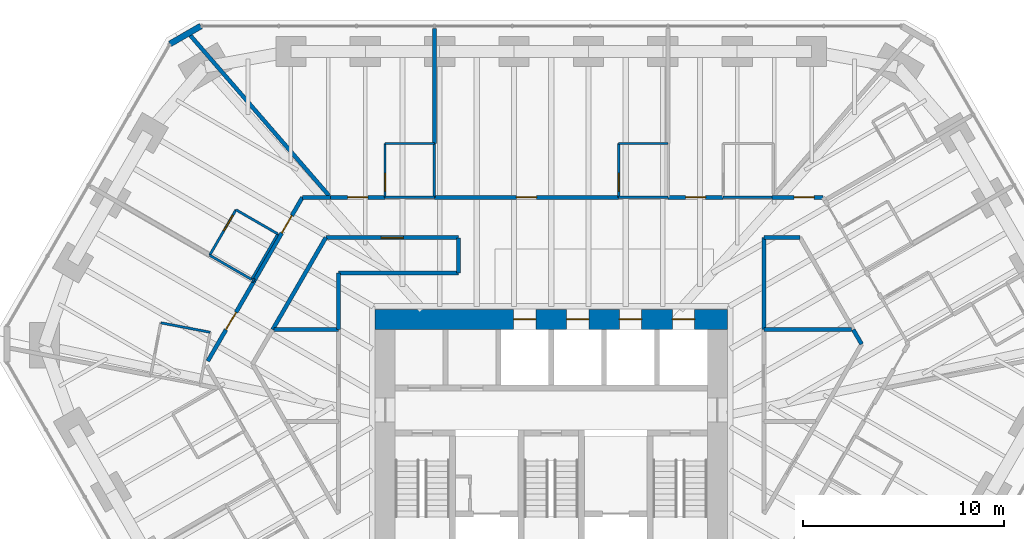
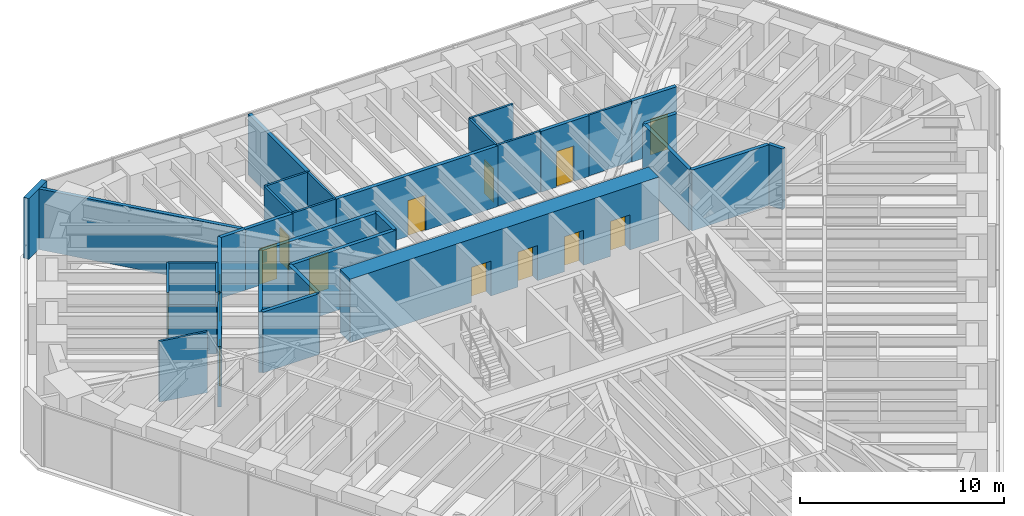
# One storey, part 14 of 17: 35 walls, 14 doors, 14 openings.
"""IFC4 building model written with IfcOpenShell, lengths in metres."""

import ifcopenshell
import ifcopenshell.guid

model = None  # the IFC model being written
_history = None  # IfcOwnerHistory: only IFC2X3 demands one
_inside = {}  # id of a spatial element -> (the spatial element, [elements in it])
_under = {}  # id of a project, library or spatial element -> (it, [spatial elements below it])
_declared = {}  # id of a project -> (the project, [libraries it declares])
_typed = {}  # id of a type object -> (the type object, [elements of that type])
_made_of = {}  # id of a material, layer set ... -> (it, [elements and type objects made of it])


def new_model(schema):
    """Start an empty IFC model of exactly this schema.

    Asked for "IFC4X3", IfcOpenShell would pick the latest addendum, in which some entities
    have other attributes; the version numbers below select the first issue.
    IFC2X3 requires an IfcOwnerHistory on every rooted entity: one is made here for all.
    """
    global model, _history
    if schema == "IFC4X3":
        model = ifcopenshell.file(schema_version=(4, 3, 0, 0))
    else:
        model = ifcopenshell.file(schema=schema)
    _inside.clear()
    _under.clear()
    _declared.clear()
    _typed.clear()
    _made_of.clear()
    _history = None
    if model.schema == "IFC2X3":
        org = make("IfcOrganization", Name="unknown")
        user = make(
            "IfcPersonAndOrganization",
            ThePerson=make("IfcPerson", FamilyName="unknown"),
            TheOrganization=org,
        )
        app = make(
            "IfcApplication",
            ApplicationDeveloper=org,
            Version="unknown",
            ApplicationFullName="unknown",
            ApplicationIdentifier="unknown",
        )
        _history = make(
            "IfcOwnerHistory",
            OwningUser=user,
            OwningApplication=app,
            ChangeAction="ADDED",
            CreationDate=0,
        )
    return model


def make(cls, **values):
    """One entity of the class cls with the attributes given. An attribute that is None is left unset."""
    return model.create_entity(
        cls, **{name: value for name, value in values.items() if value is not None}
    )


def rooted(cls, **values):
    """An entity with a GlobalId (a new one), such as an element, a storey or a relation."""
    return make(cls, GlobalId=ifcopenshell.guid.new(), OwnerHistory=_history, **values)


def si_unit(unit_type, name, prefix=None):
    """IfcSIUnit, for example si_unit("LENGTHUNIT", "METRE", prefix="MILLI")."""
    return make("IfcSIUnit", UnitType=unit_type, Prefix=prefix, Name=name)


def assignment(units):
    """IfcUnitAssignment: the units of a project."""
    return None if units is None else make("IfcUnitAssignment", Units=units)


def point(xyz):
    """IfcCartesianPoint."""
    return None if xyz is None else make("IfcCartesianPoint", Coordinates=xyz)


def direction(xyz):
    """IfcDirection."""
    return None if xyz is None else make("IfcDirection", DirectionRatios=xyz)


def frame(location, z_axis=None, x_axis=None):
    """IfcAxis2Placement3D, a coordinate frame: its origin and axes. An axis left out is left unset."""
    return make(
        "IfcAxis2Placement3D",
        Location=point(location),
        Axis=direction(z_axis),
        RefDirection=direction(x_axis),
    )


def frame_2d(location, x_axis=None):
    """IfcAxis2Placement2D, a coordinate frame in the plane: its origin and x axis."""
    return make(
        "IfcAxis2Placement2D", Location=point(location), RefDirection=direction(x_axis)
    )


def origin():
    """The frame at (0, 0, 0) with its axes left unset."""
    return frame((0.0, 0.0, 0.0))


def place(relative_to, where):
    """IfcLocalPlacement: puts the frame where relative to a parent placement (None: the world)."""
    return make(
        "IfcLocalPlacement", PlacementRelTo=relative_to, RelativePlacement=where
    )


def context(
    kind, dimensions, precision=None, world=None, true_north=None, identifier=None
):
    """IfcGeometricRepresentationContext, for example the 3D "Model" context."""
    return make(
        "IfcGeometricRepresentationContext",
        ContextIdentifier=identifier,
        ContextType=kind,
        CoordinateSpaceDimension=dimensions,
        Precision=precision,
        WorldCoordinateSystem=world,
        TrueNorth=true_north,
    )


def subcontext(parent, identifier, kind, view, scale=None):
    """IfcGeometricRepresentationSubContext, for example "Body" below "Model"."""
    return make(
        "IfcGeometricRepresentationSubContext",
        ContextIdentifier=identifier,
        ContextType=kind,
        ParentContext=parent,
        TargetScale=scale,
        TargetView=view,
    )


def project(units=None, contexts=None):
    """IfcProject with its units and contexts."""
    return rooted(
        "IfcProject",
        Name="project",
        RepresentationContexts=contexts,
        UnitsInContext=assignment(units),
    )


def spatial(cls, under=None, at=None, **own):
    """A site, building, storey or space (cls), placed at a placement, below another one or the project."""
    s = rooted(cls, ObjectPlacement=at, **own)
    if under is not None:
        _under.setdefault(under.id(), (under, []))[1].append(s)
    return s


def profile(cls, at=None, kind="AREA", **sizes):
    """A parametric profile (cls). Its sizes go by their IFC names, for example OverallWidth=200.0."""
    return make(cls, ProfileType=kind, Position=at, **sizes)


def rectangle(**sizes):
    """IfcRectangleProfileDef."""
    return profile("IfcRectangleProfileDef", **sizes)


def extrude(swept, where, along, depth):
    """IfcExtrudedAreaSolid: the profile swept, set in the frame where, extruded along a direction by depth."""
    return make(
        "IfcExtrudedAreaSolid",
        SweptArea=swept,
        Position=where,
        ExtrudedDirection=direction(along),
        Depth=depth,
    )


def shape(context_of_items, identifier, shape_type, items):
    """IfcShapeRepresentation: the items that make up one representation, for example the "Body"."""
    return make(
        "IfcShapeRepresentation",
        ContextOfItems=context_of_items,
        RepresentationIdentifier=identifier,
        RepresentationType=shape_type,
        Items=items,
    )


def material(Name=None, Category=None):
    """IfcMaterial."""
    return make("IfcMaterial", Name=Name, Category=Category)


def layer(
    of_material, thickness, ventilated=None, Name=None, Category=None, Priority=None
):
    """IfcMaterialLayer: one layer of a wall or slab, of a material (None: an air gap)."""
    return make(
        "IfcMaterialLayer",
        Material=of_material,
        LayerThickness=thickness,
        IsVentilated=ventilated,
        Name=Name,
        Category=Category,
        Priority=Priority,
    )


def layer_set(layers, Name=None):
    """IfcMaterialLayerSet."""
    return make("IfcMaterialLayerSet", MaterialLayers=layers, LayerSetName=Name)


def made_of(thing, what):
    """Note that an element or type object is made of a material, layer set ...; save() writes the relation."""
    if what is not None:
        _made_of.setdefault(what.id(), (what, []))[1].append(thing)
    return thing


def type_object(cls, material=None, **own):
    """A type object (cls), such as IfcWallType, which elements share."""
    return made_of(rooted(cls, **own), material)


def element(
    cls,
    number,
    at=None,
    inside=None,
    cuts=None,
    type_object=None,
    material=None,
    context=None,
    identifier="Body",
    shape_type=None,
    held_by="IfcProductDefinitionShape",
    body=None,
    shapes=None,
    **own,
):
    """One element of the class cls, such as IfcWall. Its Tag is "e" and its number.

    at: its placement. inside: the storey or other place that contains it. cuts: it is an
    opening in that element (IfcRelVoidsElement). A single representation is given by context,
    identifier, shape_type and body (its items); several are given by shapes. held_by: the class
    of the entity that holds the representations. save() writes the other relations.
    """
    e = rooted(cls, Tag="e%d" % number, ObjectPlacement=at, **own)
    if body is not None:
        shapes = [shape(context, identifier, shape_type, body)]
    if shapes is not None:
        e.Representation = make(held_by, Representations=shapes)
    if inside is not None:
        _inside.setdefault(inside.id(), (inside, []))[1].append(e)
    if cuts is not None:
        rooted(
            "IfcRelVoidsElement", RelatingBuildingElement=cuts, RelatedOpeningElement=e
        )
    if type_object is not None:
        _typed.setdefault(type_object.id(), (type_object, []))[1].append(e)
    return made_of(e, material)


def fill(opening, filler):
    """IfcRelFillsElement: the door or window that sits in an opening."""
    return rooted(
        "IfcRelFillsElement",
        RelatingOpeningElement=opening,
        RelatedBuildingElement=filler,
    )


def aggregate(whole, parts):
    """IfcRelAggregates: a whole, such as a stair, and the parts it consists of."""
    return rooted("IfcRelAggregates", RelatingObject=whole, RelatedObjects=parts)


def save(model, path):
    """Write the relations noted so far, then the file.

    IfcRelAggregates (storeys below a building ...), IfcRelContainedInSpatialStructure (elements
    in a storey), IfcRelDefinesByType, IfcRelAssociatesMaterial and IfcRelDeclares: one each for
    every whole, place, type object, material and project.
    """
    for whole, parts in _under.values():
        aggregate(whole, parts)
    for where, things in _inside.values():
        rooted(
            "IfcRelContainedInSpatialStructure",
            RelatedElements=things,
            RelatingStructure=where,
        )
    for kind, things in _typed.values():
        rooted("IfcRelDefinesByType", RelatedObjects=things, RelatingType=kind)
    for what, things in _made_of.values():
        rooted("IfcRelAssociatesMaterial", RelatedObjects=things, RelatingMaterial=what)
    for by, libraries in _declared.values():
        rooted("IfcRelDeclares", RelatingContext=by, RelatedDefinitions=libraries)
    model.write(path)


model = new_model("IFC4")

# Units and contexts
model_context = context("Model", 3, precision=1e-05, world=origin(), true_north=direction((0.0, 1.0)))
body_context = subcontext(model_context, "Body", "Model", "MODEL_VIEW")
ifc_project = project(units=[si_unit("LENGTHUNIT", "METRE"), si_unit("AREAUNIT", "SQUARE_METRE"), si_unit("VOLUMEUNIT", "CUBIC_METRE"), si_unit("PLANEANGLEUNIT", "RADIAN"), si_unit("MASSUNIT", "GRAM", prefix="KILO")], contexts=[model_context])

# Site, building, storey
site_placement = place(None, origin())
site = spatial("IfcSite", under=ifc_project, at=site_placement, CompositionType="ELEMENT")
building_placement = place(site_placement, origin())
building = spatial("IfcBuilding", under=site, at=building_placement, Name="Sandreach Pilgrim Tower", CompositionType="ELEMENT")
storey_placement = place(building_placement, frame((0.0, 0.0, 217.39990234375)))
storey = spatial("IfcBuildingStorey", under=building, at=storey_placement, Name="L54", CompositionType="ELEMENT", Elevation=217.39990234375)

# Walls
ifc_material_1 = material(Name="Moisture-resistant gypsum board on steel studs", Category="steel")
ifc_layer_1 = layer(ifc_material_1, 0.1201171875)
ifc_layer_set_1 = layer_set([ifc_layer_1], Name="Bathroom partition 120")
wall_type_1 = type_object("IfcWallType", Name="Bathroom partition 120", PredefinedType="PARTITIONING", material=ifc_layer_set_1)
wall_1_placement = place(storey_placement, frame((-16.953857421875, 9.783447265625, 0.0), z_axis=(0.0, 0.0, 1.0), x_axis=(0.865862137391, -0.500282679124, 0.0)))
element("IfcWall", 1, at=wall_1_placement, inside=storey, type_object=wall_type_1, Name="Bathroom partition L54-010", PredefinedType="PARTITIONING", context=body_context, shape_type="SweptSolid", body=[
    extrude(rectangle(XDim=2.4013671875, YDim=0.1201171875, at=frame_2d((1.20068359375, 0.0))), origin(), (0.0, 0.0, 1.0), 2.878173828125),
])
wall_2_placement = place(storey_placement, frame((-16.929931640625, 5.9599609375, 0.0), z_axis=(0.0, 0.0, 1.0), x_axis=(-0.982097071605, 0.18837553436, 0.0)))
element("IfcWall", 2, at=wall_2_placement, inside=storey, type_object=wall_type_1, Name="Bathroom partition L54-012", PredefinedType="PARTITIONING", context=body_context, shape_type="SweptSolid", body=[
    extrude(rectangle(XDim=2.494873046875, YDim=0.1201171875, at=frame_2d((1.24755859375, 0.0))), origin(), (0.0, 0.0, 1.0), 3.64013671875),
])

# Wall, opening, door
wall_3_placement = place(storey_placement, frame((-15.64990234375, 12.0400390625, 0.0), z_axis=(0.0, 0.0, 1.0), x_axis=(-0.500291685314, -0.865856933682, 0.0)))
wall_3 = element("IfcWall", 3, at=wall_3_placement, inside=storey, type_object=wall_type_1, Name="Bathroom partition L54-017", PredefinedType="PARTITIONING", context=body_context, shape_type="SweptSolid", body=[
    extrude(rectangle(XDim=2.5986328125, YDim=0.1201171875, at=frame_2d((1.29931640625, 0.0))), origin(), (0.0, 0.0, 1.0), 3.64013671875),
])
opening_1_placement = place(wall_3_placement, frame((0.300048828125, 0.0, 0.0)))
opening_1 = element("IfcOpeningElement", 4, at=opening_1_placement, cuts=wall_3, Name="Opening D09-19B", PredefinedType="OPENING", context=body_context, shape_type="SweptSolid", body=[
    extrude(rectangle(XDim=0.89990234375, YDim=2.030029296875, at=frame_2d((0.449951171875, 1.01513671875))), frame((0.0, 0.06005859375, 0.0), z_axis=(0.0, -1.0, 0.0), x_axis=(1.0, 0.0, 0.0)), (0.0, 0.0, 1.0), 0.1201171875),
])
ifc_material_2 = material(Name="Timber door, steel frame", Category="steel")
door_type_1 = type_object("IfcDoorType", Name="Bathroom door", OperationType="SINGLE_SWING_LEFT", PredefinedType="DOOR", material=ifc_material_2)
door_1_placement = place(opening_1_placement, origin())
door_1 = element("IfcDoor", 5, at=door_1_placement, inside=storey, type_object=door_type_1, Name="Door 5419B", OperationType="SINGLE_SWING_LEFT", OverallHeight=2.030029296875, OverallWidth=0.89990234375, PredefinedType="DOOR", context=body_context, shape_type="SweptSolid", body=[
    extrude(rectangle(XDim=0.89990234375, YDim=2.030029296875, at=frame_2d((0.449951171875, 1.01513671875))), frame((0.0, 0.02490234375, 0.0), z_axis=(0.0, -1.0, 0.0), x_axis=(1.0, 0.0, 0.0)), (0.0, 0.0, 1.0), 0.050048828125),
])
fill(opening_1, door_1)

# Walls
wall_4_placement = place(storey_placement, frame((-14.8701171875, 8.590087890625, 0.0), z_axis=(0.0, 0.0, 1.0), x_axis=(0.500291685314, 0.865856933682, 0.0)))
element("IfcWall", 6, at=wall_4_placement, inside=storey, type_object=wall_type_1, Name="Bathroom partition L54-021", PredefinedType="PARTITIONING", context=body_context, shape_type="SweptSolid", body=[
    extrude(rectangle(XDim=2.5986328125, YDim=0.1201171875, at=frame_2d((1.29931640625, 0.0))), origin(), (0.0, 0.0, 1.0), 3.64013671875),
])
wall_5_placement = place(storey_placement, frame((-13.570068359375, 10.840087890625, 0.0), z_axis=(0.0, 0.0, 1.0), x_axis=(-0.866177122335, 0.499737123639, 0.0)))
element("IfcWall", 7, at=wall_5_placement, inside=storey, type_object=wall_type_1, Name="Bathroom partition L54-029", PredefinedType="PARTITIONING", context=body_context, shape_type="SweptSolid", body=[
    extrude(rectangle(XDim=2.401123046875, YDim=0.1201171875, at=frame_2d((1.20068359375, 0.0))), origin(), (0.0, 0.0, 1.0), 3.64013671875),
])

# Wall, opening, door
wall_6_placement = place(storey_placement, frame((-8.25, 15.330078125, 0.0), z_axis=(0.0, 0.0, 1.0), x_axis=(0.0, -1.0, 0.0)))
wall_6 = element("IfcWall", 8, at=wall_6_placement, inside=storey, type_object=wall_type_1, Name="Bathroom partition L54-045", PredefinedType="PARTITIONING", context=body_context, shape_type="SweptSolid", body=[
    extrude(rectangle(XDim=2.670166015625, YDim=0.1201171875, at=frame_2d((1.3349609375, 0.0))), origin(), (0.0, 0.0, 1.0), 3.64013671875),
])
opening_2_placement = place(wall_6_placement, frame((1.469970703125, 0.0, 0.0)))
opening_2 = element("IfcOpeningElement", 9, at=opening_2_placement, cuts=wall_6, Name="Opening D09-01B", PredefinedType="OPENING", context=body_context, shape_type="SweptSolid", body=[
    extrude(rectangle(XDim=0.89990234375, YDim=2.030029296875, at=frame_2d((0.449951171875, 1.01513671875))), frame((0.0, 0.06005859375, 0.0), z_axis=(0.0, -1.0, 0.0), x_axis=(1.0, 0.0, 0.0)), (0.0, 0.0, 1.0), 0.1201171875),
])
door_2_placement = place(opening_2_placement, origin())
door_2 = element("IfcDoor", 10, at=door_2_placement, inside=storey, type_object=door_type_1, Name="Door 5401B", OperationType="SINGLE_SWING_RIGHT", OverallHeight=2.030029296875, OverallWidth=0.89990234375, PredefinedType="DOOR", context=body_context, shape_type="SweptSolid", body=[
    extrude(rectangle(XDim=0.89990234375, YDim=2.030029296875, at=frame_2d((0.449951171875, 1.01513671875))), frame((0.0, 0.02490234375, 0.0), z_axis=(0.0, -1.0, 0.0), x_axis=(1.0, 0.0, 0.0)), (0.0, 0.0, 1.0), 0.050048828125),
])
fill(opening_2, door_2)

# Walls
for number, where, z_axis, x_axis, name in (
    (11, (-5.800048828125, 12.659912109375, 0.0), (0.0, 0.0, 1.0), (-1.0, 0.0, 0.0), "Bathroom partition L54-050"),
    (12, (-5.800048828125, 15.330078125, 0.0), (0.0, 0.0, 1.0), (-1.0, 0.0, 0.0), "Bathroom partition L54-051"),
):
    element("IfcWall", number, at=place(storey_placement, frame(where, z_axis=z_axis, x_axis=x_axis)), inside=storey, type_object=wall_type_1, Name=name, PredefinedType="PARTITIONING", context=body_context, shape_type="SweptSolid", body=[
        extrude(rectangle(XDim=2.449951171875, YDim=0.1201171875, at=frame_2d((1.22509765625, 0.0))), origin(), (0.0, 0.0, 1.0), 3.64013671875),
    ])
wall_7_placement = place(storey_placement, frame((-5.800048828125, 15.330078125, 0.0), z_axis=(0.0, 0.0, 1.0), x_axis=(0.0, -1.0, 0.0)))
element("IfcWall", 13, at=wall_7_placement, inside=storey, type_object=wall_type_1, Name="Bathroom partition L54-052", PredefinedType="PARTITIONING", context=body_context, shape_type="SweptSolid", body=[
    extrude(rectangle(XDim=2.670166015625, YDim=0.1201171875, at=frame_2d((1.3349609375, 0.0))), origin(), (0.0, 0.0, 1.0), 3.64013671875),
])

# Wall, opening, door
wall_8_placement = place(storey_placement, frame((3.35009765625, 15.330078125, 0.0), z_axis=(0.0, 0.0, 1.0), x_axis=(0.0, -1.0, 0.0)))
wall_8 = element("IfcWall", 14, at=wall_8_placement, inside=storey, type_object=wall_type_1, Name="Bathroom partition L54-082", PredefinedType="PARTITIONING", context=body_context, shape_type="SweptSolid", body=[
    extrude(rectangle(XDim=2.670166015625, YDim=0.1201171875, at=frame_2d((1.3349609375, 0.0))), origin(), (0.0, 0.0, 1.0), 3.64013671875),
])
opening_3_placement = place(wall_8_placement, frame((1.469970703125, 0.0, 0.0)))
opening_3 = element("IfcOpeningElement", 15, at=opening_3_placement, cuts=wall_8, Name="Opening D09-02B", PredefinedType="OPENING", context=body_context, shape_type="SweptSolid", body=[
    extrude(rectangle(XDim=0.89990234375, YDim=2.030029296875, at=frame_2d((0.449951171875, 1.01513671875))), frame((0.0, 0.06005859375, 0.0), z_axis=(0.0, -1.0, 0.0), x_axis=(1.0, 0.0, 0.0)), (0.0, 0.0, 1.0), 0.1201171875),
])
door_3_placement = place(opening_3_placement, origin())
door_3 = element("IfcDoor", 16, at=door_3_placement, inside=storey, type_object=door_type_1, Name="Door 5402B", OperationType="SINGLE_SWING_RIGHT", OverallHeight=2.030029296875, OverallWidth=0.89990234375, PredefinedType="DOOR", context=body_context, shape_type="SweptSolid", body=[
    extrude(rectangle(XDim=0.89990234375, YDim=2.030029296875, at=frame_2d((0.449951171875, 1.01513671875))), frame((0.0, 0.02490234375, 0.0), z_axis=(0.0, -1.0, 0.0), x_axis=(1.0, 0.0, 0.0)), (0.0, 0.0, 1.0), 0.050048828125),
])
fill(opening_3, door_3)

# Walls
for number, where, z_axis, x_axis, name in (
    (17, (5.800048828125, 12.659912109375, 0.0), (0.0, 0.0, 1.0), (-1.0, 0.0, 0.0), "Bathroom partition L54-092"),
    (18, (5.800048828125, 15.330078125, 0.0), (0.0, 0.0, 1.0), (-1.0, 0.0, 0.0), "Bathroom partition L54-093"),
):
    element("IfcWall", number, at=place(storey_placement, frame(where, z_axis=z_axis, x_axis=x_axis)), inside=storey, type_object=wall_type_1, Name=name, PredefinedType="PARTITIONING", context=body_context, shape_type="SweptSolid", body=[
        extrude(rectangle(XDim=2.449951171875, YDim=0.1201171875, at=frame_2d((1.22509765625, 0.0))), origin(), (0.0, 0.0, 1.0), 3.64013671875),
    ])
wall_9_placement = place(storey_placement, frame((10.9599609375, 12.659912109375, 0.0), z_axis=(0.0, 0.0, 1.0), x_axis=(-1.0, 0.0, 0.0)))
element("IfcWall", 19, at=wall_9_placement, inside=storey, type_object=wall_type_1, Name="Bathroom partition L54-114", PredefinedType="PARTITIONING", context=body_context, shape_type="SweptSolid", body=[
    extrude(rectangle(XDim=2.429931640625, YDim=0.1201171875, at=frame_2d((1.21484375, 0.0))), origin(), (0.0, 0.0, 1.0), 3.64013671875),
])

# Wall, openings, doors
ifc_material_3 = material(Name="Concrete 10000 psi", Category="concrete")
ifc_layer_2 = layer(ifc_material_3, 1.0)
ifc_layer_set_2 = layer_set([ifc_layer_2], Name="Core wall 1000")
wall_type_2 = type_object("IfcWallType", Name="Core wall 1000", PredefinedType="SHEAR", material=ifc_layer_set_2)
wall_10_placement = place(storey_placement, frame((-8.75, 6.60009765625, 0.0), z_axis=(0.0, 0.0, 1.0), x_axis=(1.0, 0.0, 0.0)))
wall_10 = element("IfcWall", 20, at=wall_10_placement, inside=storey, type_object=wall_type_2, Name="Core wall N L54", PredefinedType="SHEAR", context=body_context, shape_type="SweptSolid", body=[
    extrude(rectangle(XDim=17.5, YDim=1.0, at=frame_2d((8.75, 0.0))), origin(), (0.0, 0.0, 1.0), 3.800048828125),
])
opening_4_placement = place(wall_10_placement, frame((6.887451171875, 0.0, 0.0)))
opening_4 = element("IfcOpeningElement", 21, at=opening_4_placement, cuts=wall_10, Name="Opening LD11", PredefinedType="OPENING", context=body_context, shape_type="SweptSolid", body=[
    extrude(rectangle(XDim=1.10009765625, YDim=2.10009765625, at=frame_2d((0.550048828125, 1.050048828125))), frame((0.0, 0.5, 0.0), z_axis=(0.0, -1.0, 0.0), x_axis=(1.0, 0.0, 0.0)), (0.0, 0.0, 1.0), 1.0),
])
opening_5_placement = place(wall_10_placement, frame((9.512451171875, 0.0, 0.0)))
opening_5 = element("IfcOpeningElement", 22, at=opening_5_placement, cuts=wall_10, Name="Opening LD11", PredefinedType="OPENING", context=body_context, shape_type="SweptSolid", body=[
    extrude(rectangle(XDim=1.10009765625, YDim=2.10009765625, at=frame_2d((0.550048828125, 1.050048828125))), frame((0.0, 0.5, 0.0), z_axis=(0.0, -1.0, 0.0), x_axis=(1.0, 0.0, 0.0)), (0.0, 0.0, 1.0), 1.0),
])
opening_6_placement = place(wall_10_placement, frame((12.137451171875, 0.0, 0.0)))
opening_6 = element("IfcOpeningElement", 23, at=opening_6_placement, cuts=wall_10, Name="Opening LD11", PredefinedType="OPENING", context=body_context, shape_type="SweptSolid", body=[
    extrude(rectangle(XDim=1.10009765625, YDim=2.10009765625, at=frame_2d((0.550048828125, 1.050048828125))), frame((0.0, 0.5, 0.0), z_axis=(0.0, -1.0, 0.0), x_axis=(1.0, 0.0, 0.0)), (0.0, 0.0, 1.0), 1.0),
])
opening_7_placement = place(wall_10_placement, frame((14.762451171875, 0.0, 0.0)))
opening_7 = element("IfcOpeningElement", 24, at=opening_7_placement, cuts=wall_10, Name="Opening LD11", PredefinedType="OPENING", context=body_context, shape_type="SweptSolid", body=[
    extrude(rectangle(XDim=1.10009765625, YDim=2.10009765625, at=frame_2d((0.550048828125, 1.050048828125))), frame((0.0, 0.5, 0.0), z_axis=(0.0, -1.0, 0.0), x_axis=(1.0, 0.0, 0.0)), (0.0, 0.0, 1.0), 1.0),
])
ifc_material_4 = material(Name="Steel door and frame", Category="steel")
door_type_2 = type_object("IfcDoorType", Name="Lift landing door", OperationType="DOUBLE_DOOR_SLIDING", PredefinedType="DOOR", material=ifc_material_4)
door_4_placement = place(opening_4_placement, origin())
door_4 = element("IfcDoor", 25, at=door_4_placement, inside=storey, type_object=door_type_2, Name="Lift landing door Z3A L54", OperationType="DOUBLE_DOOR_SLIDING", OverallHeight=2.10009765625, OverallWidth=1.10009765625, PredefinedType="DOOR", context=body_context, shape_type="SweptSolid", body=[
    extrude(rectangle(XDim=1.10009765625, YDim=2.10009765625, at=frame_2d((0.550048828125, 1.050048828125))), frame((0.0, 0.02490234375, 0.0), z_axis=(0.0, -1.0, 0.0), x_axis=(1.0, 0.0, 0.0)), (0.0, 0.0, 1.0), 0.050048828125),
])
fill(opening_4, door_4)
door_5_placement = place(opening_5_placement, origin())
door_5 = element("IfcDoor", 26, at=door_5_placement, inside=storey, type_object=door_type_2, Name="Lift landing door Z3B L54", OperationType="DOUBLE_DOOR_SLIDING", OverallHeight=2.10009765625, OverallWidth=1.10009765625, PredefinedType="DOOR", context=body_context, shape_type="SweptSolid", body=[
    extrude(rectangle(XDim=1.10009765625, YDim=2.10009765625, at=frame_2d((0.550048828125, 1.050048828125))), frame((0.0, 0.02490234375, 0.0), z_axis=(0.0, -1.0, 0.0), x_axis=(1.0, 0.0, 0.0)), (0.0, 0.0, 1.0), 0.050048828125),
])
fill(opening_5, door_5)
door_6_placement = place(opening_6_placement, origin())
door_6 = element("IfcDoor", 27, at=door_6_placement, inside=storey, type_object=door_type_2, Name="Lift landing door Z3C L54", OperationType="DOUBLE_DOOR_SLIDING", OverallHeight=2.10009765625, OverallWidth=1.10009765625, PredefinedType="DOOR", context=body_context, shape_type="SweptSolid", body=[
    extrude(rectangle(XDim=1.10009765625, YDim=2.10009765625, at=frame_2d((0.550048828125, 1.050048828125))), frame((0.0, 0.02490234375, 0.0), z_axis=(0.0, -1.0, 0.0), x_axis=(1.0, 0.0, 0.0)), (0.0, 0.0, 1.0), 0.050048828125),
])
fill(opening_6, door_6)
door_7_placement = place(opening_7_placement, origin())
door_7 = element("IfcDoor", 28, at=door_7_placement, inside=storey, type_object=door_type_2, Name="Lift landing door Z3D L54", OperationType="DOUBLE_DOOR_SLIDING", OverallHeight=2.10009765625, OverallWidth=1.10009765625, PredefinedType="DOOR", context=body_context, shape_type="SweptSolid", body=[
    extrude(rectangle(XDim=1.10009765625, YDim=2.10009765625, at=frame_2d((0.550048828125, 1.050048828125))), frame((0.0, 0.02490234375, 0.0), z_axis=(0.0, -1.0, 0.0), x_axis=(1.0, 0.0, 0.0)), (0.0, 0.0, 1.0), 0.050048828125),
])
fill(opening_7, door_7)

# Wall, opening, door
ifc_material_5 = material(Name="Gypsum board on steel studs, two layers each side", Category="steel")
ifc_layer_3 = layer(ifc_material_5, 0.199951171875)
ifc_layer_set_3 = layer_set([ifc_layer_3], Name="Corridor wall 200")
wall_type_3 = type_object("IfcWallType", Name="Corridor wall 200", PredefinedType="PARTITIONING", material=ifc_layer_set_3)
wall_11_placement = place(storey_placement, frame((-14.75, 8.510009765625, 0.0), z_axis=(0.0, 0.0, 1.0), x_axis=(0.500618647881, 0.86566793252, 0.0)))
wall_11 = element("IfcWall", 29, at=wall_11_placement, inside=storey, type_object=wall_type_3, Name="Corridor wall L54-024", PredefinedType="PARTITIONING", context=body_context, shape_type="SweptSolid", body=[
    extrude(rectangle(XDim=4.7939453125, YDim=0.199951171875, at=frame_2d((2.39697265625, 0.0))), origin(), (0.0, 0.0, 1.0), 3.64013671875),
])
opening_8_placement = place(wall_11_placement, frame((2.75, 0.0, 0.0)))
opening_8 = element("IfcOpeningElement", 30, at=opening_8_placement, cuts=wall_11, Name="Opening D10-19", PredefinedType="OPENING", context=body_context, shape_type="SweptSolid", body=[
    extrude(rectangle(XDim=1.0, YDim=2.1298828125, at=frame_2d((0.5, 1.06494140625))), frame((0.0, 0.10009765625, 0.0), z_axis=(0.0, -1.0, 0.0), x_axis=(1.0, 0.0, 0.0)), (0.0, 0.0, 1.0), 0.199951171875),
])
ifc_material_6 = material(Name="Steel door and frame", Category="steel")
door_type_3 = type_object("IfcDoorType", Name="Guest room entry door", OperationType="SINGLE_SWING_LEFT", PredefinedType="DOOR", material=ifc_material_6)
door_8_placement = place(opening_8_placement, origin())
door_8 = element("IfcDoor", 31, at=door_8_placement, inside=storey, type_object=door_type_3, Name="Door 5419", OperationType="SINGLE_SWING_RIGHT", OverallHeight=2.1298828125, OverallWidth=1.0, PredefinedType="DOOR", context=body_context, shape_type="SweptSolid", body=[
    extrude(rectangle(XDim=1.0, YDim=2.1298828125, at=frame_2d((0.5, 1.06494140625))), frame((0.0, 0.02490234375, 0.0), z_axis=(0.0, -1.0, 0.0), x_axis=(1.0, 0.0, 0.0)), (0.0, 0.0, 1.0), 0.050048828125),
])
fill(opening_8, door_8)

wall_12_placement = place(storey_placement, frame((-14.739990234375, 8.510009765625, 0.0), z_axis=(0.0, 0.0, 1.0), x_axis=(-0.501513165407, -0.865150012959, 0.0)))
wall_12 = element("IfcWall", 32, at=wall_12_placement, inside=storey, type_object=wall_type_3, Name="Corridor wall L54-025", PredefinedType="PARTITIONING", context=body_context, shape_type="SweptSolid", body=[
    extrude(rectangle(XDim=4.600341796875, YDim=0.199951171875, at=frame_2d((2.30029296875, 0.0))), origin(), (0.0, 0.0, 1.0), 3.64013671875),
])
opening_9_placement = place(wall_12_placement, frame((1.80029296875, 0.0, 0.0)))
opening_9 = element("IfcOpeningElement", 33, at=opening_9_placement, cuts=wall_12, Name="Opening D10-18", PredefinedType="OPENING", context=body_context, shape_type="SweptSolid", body=[
    extrude(rectangle(XDim=1.0, YDim=2.1298828125, at=frame_2d((0.5, 1.06494140625))), frame((0.0, 0.10009765625, 0.0), z_axis=(0.0, -1.0, 0.0), x_axis=(1.0, 0.0, 0.0)), (0.0, 0.0, 1.0), 0.199951171875),
])
door_9_placement = place(opening_9_placement, origin())
door_9 = element("IfcDoor", 34, at=door_9_placement, inside=storey, type_object=door_type_3, Name="Door 5418", OperationType="SINGLE_SWING_LEFT", OverallHeight=2.1298828125, OverallWidth=1.0, PredefinedType="DOOR", context=body_context, shape_type="SweptSolid", body=[
    extrude(rectangle(XDim=1.0, YDim=2.1298828125, at=frame_2d((0.5, 1.06494140625))), frame((0.0, 0.02490234375, 0.0), z_axis=(0.0, -1.0, 0.0), x_axis=(1.0, 0.0, 0.0)), (0.0, 0.0, 1.0), 0.050048828125),
])
fill(opening_9, door_9)

# Wall
wall_13_placement = place(storey_placement, frame((-13.830078125, 6.090087890625, 0.0), z_axis=(0.0, 0.0, 1.0), x_axis=(0.500248310865, 0.865881993967, 0.0)))
element("IfcWall", 35, at=wall_13_placement, inside=storey, type_object=wall_type_3, Name="Corridor wall L54-027", PredefinedType="PARTITIONING", context=body_context, shape_type="SweptSolid", body=[
    extrude(rectangle(XDim=5.277587890625, YDim=0.199951171875, at=frame_2d((2.638671875, 0.0))), origin(), (0.0, 0.0, 1.0), 3.64013671875),
])

# Wall, opening, door
wall_14_placement = place(storey_placement, frame((-11.18994140625, 10.659912109375, 0.0), z_axis=(0.0, 0.0, 1.0), x_axis=(1.0, 0.0, 0.0)))
wall_14 = element("IfcWall", 36, at=wall_14_placement, inside=storey, type_object=wall_type_3, Name="Corridor wall L54-032", PredefinedType="PARTITIONING", context=body_context, shape_type="SweptSolid", body=[
    extrude(rectangle(XDim=6.58984375, YDim=0.199951171875, at=frame_2d((3.294921875, 0.0))), origin(), (0.0, 0.0, 1.0), 3.64013671875),
])
opening_10_placement = place(wall_14_placement, frame((2.7451171875, 0.0, 0.0)))
opening_10 = element("IfcOpeningElement", 37, at=opening_10_placement, cuts=wall_14, Name="Opening D11H-M03", PredefinedType="OPENING", context=body_context, shape_type="SweptSolid", body=[
    extrude(rectangle(XDim=1.10009765625, YDim=2.199951171875, at=frame_2d((0.550048828125, 1.10009765625))), frame((0.0, 0.10009765625, 0.0), z_axis=(0.0, -1.0, 0.0), x_axis=(1.0, 0.0, 0.0)), (0.0, 0.0, 1.0), 0.199951171875),
])
ifc_material_7 = material(Name="Steel door and frame", Category="steel")
door_type_4 = type_object("IfcDoorType", Name="Back of house door", OperationType="SINGLE_SWING_LEFT", PredefinedType="DOOR", material=ifc_material_7)
door_10_placement = place(opening_10_placement, origin())
door_10 = element("IfcDoor", 38, at=door_10_placement, inside=storey, type_object=door_type_4, Name="Door 54M03", OperationType="SINGLE_SWING_LEFT", OverallHeight=2.199951171875, OverallWidth=1.10009765625, PredefinedType="DOOR", context=body_context, shape_type="SweptSolid", body=[
    extrude(rectangle(XDim=1.10009765625, YDim=2.199951171875, at=frame_2d((0.550048828125, 1.10009765625))), frame((0.0, 0.02490234375, 0.0), z_axis=(0.0, -1.0, 0.0), x_axis=(1.0, 0.0, 0.0)), (0.0, 0.0, 1.0), 0.050048828125),
])
fill(opening_10, door_10)

# Walls
wall_15_placement = place(storey_placement, frame((-10.9599609375, 12.659912109375, 0.0), z_axis=(0.0, 0.0, 1.0), x_axis=(-1.0, 0.0, 0.0)))
element("IfcWall", 39, at=wall_15_placement, inside=storey, type_object=wall_type_3, Name="Corridor wall L54-034", PredefinedType="PARTITIONING", context=body_context, shape_type="SweptSolid", body=[
    extrude(rectangle(XDim=1.39013671875, YDim=0.199951171875, at=frame_2d((0.695068359375, 0.0))), origin(), (0.0, 0.0, 1.0), 3.64013671875),
])
wall_16_placement = place(storey_placement, frame((-10.550048828125, 8.889892578125, 0.0), z_axis=(0.0, 0.0, 1.0), x_axis=(0.0, -1.0, 0.0)))
element("IfcWall", 40, at=wall_16_placement, inside=storey, type_object=wall_type_3, Name="Corridor wall L54-039", PredefinedType="PARTITIONING", context=body_context, shape_type="SweptSolid", body=[
    extrude(rectangle(XDim=2.7998046875, YDim=0.199951171875, at=frame_2d((1.39990234375, 0.0))), origin(), (0.0, 0.0, 1.0), 3.64013671875),
])

# Wall, opening, door
wall_17_placement = place(storey_placement, frame((-8.25, 12.659912109375, 0.0), z_axis=(0.0, 0.0, 1.0), x_axis=(-1.0, 0.0, 0.0)))
wall_17 = element("IfcWall", 41, at=wall_17_placement, inside=storey, type_object=wall_type_3, Name="Corridor wall L54-044", PredefinedType="PARTITIONING", context=body_context, shape_type="SweptSolid", body=[
    extrude(rectangle(XDim=2.7099609375, YDim=0.199951171875, at=frame_2d((1.35498046875, 0.0))), origin(), (0.0, 0.0, 1.0), 3.64013671875),
])
opening_11_placement = place(wall_17_placement, frame((0.85498046875, 0.0, 0.0)))
opening_11 = element("IfcOpeningElement", 42, at=opening_11_placement, cuts=wall_17, Name="Opening D10-01", PredefinedType="OPENING", context=body_context, shape_type="SweptSolid", body=[
    extrude(rectangle(XDim=1.0, YDim=2.1298828125, at=frame_2d((0.5, 1.06494140625))), frame((0.0, 0.10009765625, 0.0), z_axis=(0.0, -1.0, 0.0), x_axis=(1.0, 0.0, 0.0)), (0.0, 0.0, 1.0), 0.199951171875),
])
door_11_placement = place(opening_11_placement, origin())
door_11 = element("IfcDoor", 43, at=door_11_placement, inside=storey, type_object=door_type_3, Name="Door 5401", OperationType="SINGLE_SWING_LEFT", OverallHeight=2.1298828125, OverallWidth=1.0, PredefinedType="DOOR", context=body_context, shape_type="SweptSolid", body=[
    extrude(rectangle(XDim=1.0, YDim=2.1298828125, at=frame_2d((0.5, 1.06494140625))), frame((0.0, 0.02490234375, 0.0), z_axis=(0.0, -1.0, 0.0), x_axis=(1.0, 0.0, 0.0)), (0.0, 0.0, 1.0), 0.050048828125),
])
fill(opening_11, door_11)

# Walls
wall_18_placement = place(storey_placement, frame((-4.60009765625, 8.89990234375, 0.0), z_axis=(0.0, 0.0, 1.0), x_axis=(-1.0, 0.0, 0.0)))
element("IfcWall", 44, at=wall_18_placement, inside=storey, type_object=wall_type_3, Name="Corridor wall L54-055", PredefinedType="PARTITIONING", context=body_context, shape_type="SweptSolid", body=[
    extrude(rectangle(XDim=5.949951171875, YDim=0.199951171875, at=frame_2d((2.97509765625, 0.0))), origin(), (0.0, 0.0, 1.0), 3.64013671875),
])
wall_19_placement = place(storey_placement, frame((-4.60009765625, 10.64990234375, 0.0), z_axis=(0.0, 0.0, 1.0), x_axis=(0.0, -1.0, 0.0)))
element("IfcWall", 45, at=wall_19_placement, inside=storey, type_object=wall_type_3, Name="Corridor wall L54-056", PredefinedType="PARTITIONING", context=body_context, shape_type="SweptSolid", body=[
    extrude(rectangle(XDim=1.739990234375, YDim=0.199951171875, at=frame_2d((0.8701171875, 0.0))), origin(), (0.0, 0.0, 1.0), 3.64013671875),
])

# Wall, opening, door
wall_20_placement = place(storey_placement, frame((3.35009765625, 12.659912109375, 0.0), z_axis=(0.0, 0.0, 1.0), x_axis=(-1.0, 0.0, 0.0)))
wall_20 = element("IfcWall", 46, at=wall_20_placement, inside=storey, type_object=wall_type_3, Name="Corridor wall L54-081", PredefinedType="PARTITIONING", context=body_context, shape_type="SweptSolid", body=[
    extrude(rectangle(XDim=9.150146484375, YDim=0.199951171875, at=frame_2d((4.5751953125, 0.0))), origin(), (0.0, 0.0, 1.0), 3.64013671875),
])
opening_12_placement = place(wall_20_placement, frame((4.074951171875, 0.0, 0.0)))
opening_12 = element("IfcOpeningElement", 47, at=opening_12_placement, cuts=wall_20, Name="Opening D10-02", PredefinedType="OPENING", context=body_context, shape_type="SweptSolid", body=[
    extrude(rectangle(XDim=1.0, YDim=2.1298828125, at=frame_2d((0.5, 1.06494140625))), frame((0.0, 0.10009765625, 0.0), z_axis=(0.0, -1.0, 0.0), x_axis=(1.0, 0.0, 0.0)), (0.0, 0.0, 1.0), 0.199951171875),
])
door_12_placement = place(opening_12_placement, origin())
door_12 = element("IfcDoor", 48, at=door_12_placement, inside=storey, type_object=door_type_3, Name="Door 5402", OperationType="SINGLE_SWING_LEFT", OverallHeight=2.1298828125, OverallWidth=1.0, PredefinedType="DOOR", context=body_context, shape_type="SweptSolid", body=[
    extrude(rectangle(XDim=1.0, YDim=2.1298828125, at=frame_2d((0.5, 1.06494140625))), frame((0.0, 0.02490234375, 0.0), z_axis=(0.0, -1.0, 0.0), x_axis=(1.0, 0.0, 0.0)), (0.0, 0.0, 1.0), 0.050048828125),
])
fill(opening_12, door_12)

wall_21_placement = place(storey_placement, frame((8.530029296875, 12.659912109375, 0.0), z_axis=(0.0, 0.0, 1.0), x_axis=(-1.0, 0.0, 0.0)))
wall_21 = element("IfcWall", 49, at=wall_21_placement, inside=storey, type_object=wall_type_3, Name="Corridor wall L54-103", PredefinedType="PARTITIONING", context=body_context, shape_type="SweptSolid", body=[
    extrude(rectangle(XDim=2.72998046875, YDim=0.199951171875, at=frame_2d((1.364990234375, 0.0))), origin(), (0.0, 0.0, 1.0), 3.64013671875),
])
opening_13_placement = place(wall_21_placement, frame((0.864990234375, 0.0, 0.0)))
opening_13 = element("IfcOpeningElement", 50, at=opening_13_placement, cuts=wall_21, Name="Opening D10-03", PredefinedType="OPENING", context=body_context, shape_type="SweptSolid", body=[
    extrude(rectangle(XDim=1.0, YDim=2.1298828125, at=frame_2d((0.5, 1.06494140625))), frame((0.0, 0.10009765625, 0.0), z_axis=(0.0, -1.0, 0.0), x_axis=(1.0, 0.0, 0.0)), (0.0, 0.0, 1.0), 0.199951171875),
])
door_13_placement = place(opening_13_placement, origin())
door_13 = element("IfcDoor", 51, at=door_13_placement, inside=storey, type_object=door_type_3, Name="Door 5403", OperationType="SINGLE_SWING_LEFT", OverallHeight=2.1298828125, OverallWidth=1.0, PredefinedType="DOOR", context=body_context, shape_type="SweptSolid", body=[
    extrude(rectangle(XDim=1.0, YDim=2.1298828125, at=frame_2d((0.5, 1.06494140625))), frame((0.0, 0.02490234375, 0.0), z_axis=(0.0, -1.0, 0.0), x_axis=(1.0, 0.0, 0.0)), (0.0, 0.0, 1.0), 0.050048828125),
])
fill(opening_13, door_13)

# Walls
wall_22_placement = place(storey_placement, frame((10.550048828125, 6.090087890625, 0.0), z_axis=(0.0, 0.0, 1.0), x_axis=(0.0, 1.0, 0.0)))
element("IfcWall", 52, at=wall_22_placement, inside=storey, type_object=wall_type_3, Name="Corridor wall L54-111", PredefinedType="PARTITIONING", context=body_context, shape_type="SweptSolid", body=[
    extrude(rectangle(XDim=4.56982421875, YDim=0.199951171875, at=frame_2d((2.284912109375, 0.0))), origin(), (0.0, 0.0, 1.0), 3.64013671875),
])
wall_23_placement = place(storey_placement, frame((10.56005859375, 10.659912109375, 0.0), z_axis=(0.0, 0.0, 1.0), x_axis=(1.0, 0.0, 0.0)))
element("IfcWall", 53, at=wall_23_placement, inside=storey, type_object=wall_type_3, Name="Corridor wall L54-113", PredefinedType="PARTITIONING", context=body_context, shape_type="SweptSolid", body=[
    extrude(rectangle(XDim=1.7900390625, YDim=0.199951171875, at=frame_2d((0.89501953125, 0.0))), origin(), (0.0, 0.0, 1.0), 3.64013671875),
])

# Wall, opening, door
wall_24_placement = place(storey_placement, frame((13.5, 12.659912109375, 0.0), z_axis=(0.0, 0.0, 1.0), x_axis=(-1.0, 0.0, 0.0)))
wall_24 = element("IfcWall", 54, at=wall_24_placement, inside=storey, type_object=wall_type_3, Name="Corridor wall L54-121", PredefinedType="PARTITIONING", context=body_context, shape_type="SweptSolid", body=[
    extrude(rectangle(XDim=2.5400390625, YDim=0.199951171875, at=frame_2d((1.27001953125, 0.0))), origin(), (0.0, 0.0, 1.0), 3.64013671875),
])
opening_14_placement = place(wall_24_placement, frame((0.449951171875, 0.0, 0.0)))
opening_14 = element("IfcOpeningElement", 55, at=opening_14_placement, cuts=wall_24, Name="Opening D10-04", PredefinedType="OPENING", context=body_context, shape_type="SweptSolid", body=[
    extrude(rectangle(XDim=1.0, YDim=2.1298828125, at=frame_2d((0.5, 1.06494140625))), frame((0.0, 0.10009765625, 0.0), z_axis=(0.0, -1.0, 0.0), x_axis=(1.0, 0.0, 0.0)), (0.0, 0.0, 1.0), 0.199951171875),
])
door_14_placement = place(opening_14_placement, origin())
door_14 = element("IfcDoor", 56, at=door_14_placement, inside=storey, type_object=door_type_3, Name="Door 5404", OperationType="SINGLE_SWING_LEFT", OverallHeight=2.1298828125, OverallWidth=1.0, PredefinedType="DOOR", context=body_context, shape_type="SweptSolid", body=[
    extrude(rectangle(XDim=1.0, YDim=2.1298828125, at=frame_2d((0.5, 1.06494140625))), frame((0.0, 0.02490234375, 0.0), z_axis=(0.0, -1.0, 0.0), x_axis=(1.0, 0.0, 0.0)), (0.0, 0.0, 1.0), 0.050048828125),
])
fill(opening_14, door_14)

# Walls
wall_25_placement = place(storey_placement, frame((14.989990234375, 6.090087890625, 0.0), z_axis=(0.0, 0.0, 1.0), x_axis=(0.503816387241, -0.863810770914, 0.0)))
element("IfcWall", 57, at=wall_25_placement, inside=storey, type_object=wall_type_3, Name="Corridor wall L54-128", PredefinedType="PARTITIONING", context=body_context, shape_type="SweptSolid", body=[
    extrude(rectangle(XDim=0.83349609375, YDim=0.199951171875, at=frame_2d((0.416748046875, 0.0))), origin(), (0.0, 0.0, 1.0), 3.64013671875),
])
ifc_material_8 = material(Name="Double steel stud acoustic wall, gypsum board", Category="steel")
ifc_layer_4 = layer(ifc_material_8, 0.199951171875)
ifc_layer_set_4 = layer_set([ifc_layer_4], Name="Party wall 200")
wall_type_4 = type_object("IfcWallType", Name="Party wall 200", PredefinedType="PARTITIONING", material=ifc_layer_set_4)
wall_26_placement = place(storey_placement, frame((-14.826904296875, 8.554443359375, 0.0), z_axis=(0.0, 0.0, 1.0), x_axis=(0.865865073245, -0.500277597875, 0.0)))
element("IfcWall", 58, at=wall_26_placement, inside=storey, type_object=wall_type_4, Name="Party wall L54-023", PredefinedType="PARTITIONING", context=body_context, shape_type="SweptSolid", body=[
    extrude(rectangle(XDim=0.0888671875, YDim=0.199951171875, at=frame_2d((0.04443359375, 0.0))), origin(), (0.0, 0.0, 1.0), 3.64013671875),
])
wall_27_placement = place(storey_placement, frame((-13.7548828125, 6.090087890625, 0.0), z_axis=(0.0, 0.0, 1.0), x_axis=(1.0, 0.0, 0.0)))
element("IfcWall", 59, at=wall_27_placement, inside=storey, type_object=wall_type_4, Name="Party wall L54-028", PredefinedType="PARTITIONING", context=body_context, shape_type="SweptSolid", body=[
    extrude(rectangle(XDim=3.19482421875, YDim=0.199951171875, at=frame_2d((1.597412109375, 0.0))), origin(), (0.0, 0.0, 1.0), 3.64013671875),
])
wall_28_placement = place(storey_placement, frame((-11.02880859375, 12.739501953125, 0.0), z_axis=(0.0, 0.0, 1.0), x_axis=(-0.654429261747, 0.756123231603, 0.0)))
element("IfcWall", 60, at=wall_28_placement, inside=storey, type_object=wall_type_4, Name="Party wall L54-033", PredefinedType="PARTITIONING", context=body_context, shape_type="SweptSolid", body=[
    extrude(rectangle(XDim=10.683349609375, YDim=0.199951171875, at=frame_2d((5.341796875, 0.0))), origin(), (0.0, 0.0, 1.0), 3.64013671875),
])
wall_29_placement = place(storey_placement, frame((-5.800048828125, 21.0400390625, 0.0), z_axis=(0.0, 0.0, 1.0), x_axis=(0.0, -1.0, 0.0)))
element("IfcWall", 61, at=wall_29_placement, inside=storey, type_object=wall_type_4, Name="Party wall L54-053", PredefinedType="PARTITIONING", context=body_context, shape_type="SweptSolid", body=[
    extrude(rectangle(XDim=5.7099609375, YDim=0.199951171875, at=frame_2d((2.85498046875, 0.0))), origin(), (0.0, 0.0, 1.0), 3.64013671875),
])
wall_30_placement = place(storey_placement, frame((14.9150390625, 6.090087890625, 0.0), z_axis=(0.0, 0.0, 1.0), x_axis=(-1.0, 0.0, 0.0)))
element("IfcWall", 62, at=wall_30_placement, inside=storey, type_object=wall_type_4, Name="Party wall L54-127", PredefinedType="PARTITIONING", context=body_context, shape_type="SweptSolid", body=[
    extrude(rectangle(XDim=4.35498046875, YDim=0.199951171875, at=frame_2d((2.177490234375, 0.0))), origin(), (0.0, 0.0, 1.0), 3.64013671875),
])
ifc_material_9 = material(Name="Terracotta rainscreen on concrete", Category="masonry")
ifc_layer_5 = layer(ifc_material_9, 0.300048828125)
ifc_layer_set_5 = layer_set([ifc_layer_5], Name="Terracotta chamfer pier")
wall_type_5 = type_object("IfcWallType", Name="Terracotta chamfer pier", PredefinedType="SOLIDWALL", material=ifc_layer_set_5)
wall_31_placement = place(storey_placement, frame((-18.9228515625, 20.275146484375, 0.0), z_axis=(0.0, 0.0, 1.0), x_axis=(0.866036293601, 0.499981137809, 0.0)))
element("IfcWall", 63, at=wall_31_placement, inside=storey, type_object=wall_type_5, Name="Chamfer pier L54 NW", PredefinedType="SOLIDWALL", context=body_context, shape_type="SweptSolid", body=[
    extrude(rectangle(XDim=1.77001953125, YDim=0.300048828125, at=frame_2d((0.885009765625, 0.0))), origin(), (0.0, 0.0, 1.0), 3.64013671875),
])

save(model, "model.ifc")
